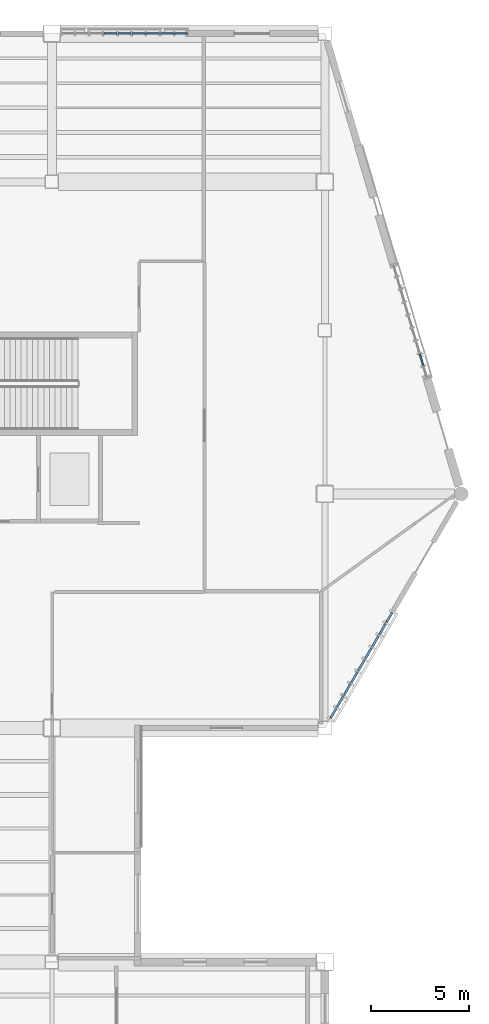
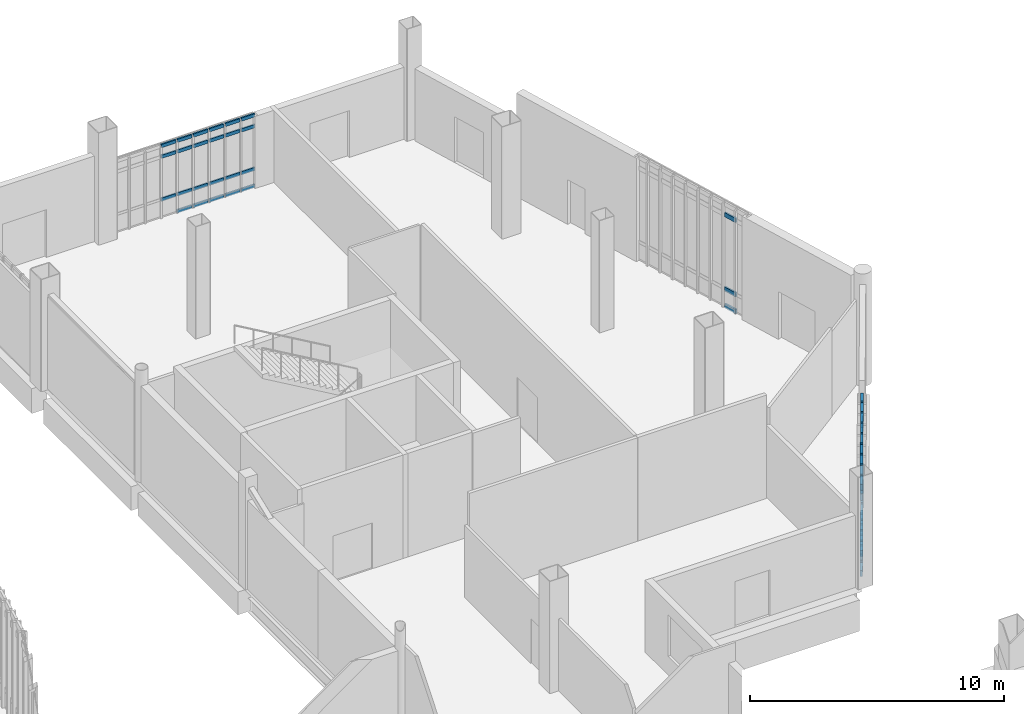
# One storey, part 49 of 111: 62 members, 3 elements without a shape of their own.
"""IFC4 building model written with IfcOpenShell, lengths in metres."""

from ifc_helpers import new_model, si_unit, direction, frame, origin, origin_2d, place, context, subcontext, project, spatial, rectangle, extrude, material, material_profile, profile_set, type_object, element, aggregate, save


model = new_model("IFC4")

# Units and contexts
model_context = context("Model", 3, precision=1e-05, world=origin(), true_north=direction((0.0, 1.0)))
body_context = subcontext(model_context, "Body", "Model", "MODEL_VIEW")
ifc_project = project(units=[si_unit("LENGTHUNIT", "METRE"), si_unit("AREAUNIT", "SQUARE_METRE"), si_unit("VOLUMEUNIT", "CUBIC_METRE"), si_unit("PLANEANGLEUNIT", "RADIAN"), si_unit("MASSUNIT", "GRAM", prefix="KILO")], contexts=[model_context])

# Site, building, storey
site_placement = place(None, origin())
site = spatial("IfcSite", under=ifc_project, at=site_placement, CompositionType="ELEMENT")
building_placement = place(site_placement, origin())
building = spatial("IfcBuilding", under=site, at=building_placement, Name="Larkvane Passage Sports Hall", CompositionType="ELEMENT")
storey_placement = place(building_placement, origin())
storey = spatial("IfcBuildingStorey", under=building, at=storey_placement, Name="L00", CompositionType="ELEMENT", Elevation=0.0)

# Curtain wall, members
ifc_material_1 = material(Name="Thermally broken aluminium and low-E glazing", Category="aluminium")
curtain_wall_type_1 = type_object("IfcCurtainWallType", Name="CW-CLINIC", PredefinedType="USERDEFINED", material=ifc_material_1)
curtain_wall_1_placement = place(storey_placement, origin())
curtain_wall_1 = element("IfcCurtainWall", 1, at=curtain_wall_1_placement, inside=storey, type_object=curtain_wall_type_1, Name="Curtain wall CW5-L00-023", ObjectType="UNITISED CURTAIN WALL", PredefinedType="USERDEFINED")
ifc_material_2 = material(Name="Anodised aluminium 6063-T6", Category="aluminium")
ifc_material_profile_1 = material_profile(ifc_material_2, rectangle(XDim=0.110107421875, YDim=0.2900390625, at=origin_2d()), Name="ALU-TRN-110x290")
ifc_profile_set_1 = profile_set([ifc_material_profile_1], Name="Anodised aluminium 6063-T6")
member_type_1 = type_object("IfcMemberType", Name="CW-TRN-110x290", PredefinedType="USERDEFINED", material=ifc_profile_set_1)
member_1_placement = place(storey_placement, frame((149.044677734375, 69.5048828125, 0.054931640625), z_axis=(-0.504090186891, -0.863651019498, 0.0), x_axis=(0.863651019498, -0.504090186891, 0.0)))
member_1 = element("IfcMember", 2, at=member_1_placement, type_object=member_type_1, Name="CW-05 transom 1.1", ObjectType="TRANSOM", PredefinedType="USERDEFINED", context=body_context, shape_type="SweptSolid", body=[
    extrude(rectangle(XDim=0.110107421875, YDim=0.2900390625, at=origin_2d()), origin(), (0.0, 0.0, 1.0), 0.553955078125),
])
member_2_placement = place(storey_placement, frame((149.044677734375, 69.5048828125, 0.85009765625), z_axis=(-0.504090186891, -0.863651019498, 0.0), x_axis=(0.863651019498, -0.504090186891, 0.0)))
member_2 = element("IfcMember", 3, at=member_2_placement, type_object=member_type_1, Name="CW-05 transom 1.2", ObjectType="TRANSOM", PredefinedType="USERDEFINED", context=body_context, shape_type="SweptSolid", body=[
    extrude(rectangle(XDim=0.110107421875, YDim=0.2900390625, at=origin_2d()), origin(), (0.0, 0.0, 1.0), 0.553955078125),
])
member_3_placement = place(storey_placement, frame((149.044677734375, 69.5048828125, 3.72607421875), z_axis=(-0.504090186891, -0.863651019498, 0.0), x_axis=(0.863651019498, -0.504090186891, 0.0)))
member_3 = element("IfcMember", 4, at=member_3_placement, type_object=member_type_1, Name="CW-05 transom 1.3", ObjectType="TRANSOM", PredefinedType="USERDEFINED", context=body_context, shape_type="SweptSolid", body=[
    extrude(rectangle(XDim=0.110107421875, YDim=0.2900390625, at=origin_2d()), origin(), (0.0, 0.0, 1.0), 0.553955078125),
])
member_4_placement = place(storey_placement, frame((149.044677734375, 69.5048828125, 4.220947265625), z_axis=(-0.504090186891, -0.863651019498, 0.0), x_axis=(0.863651019498, -0.504090186891, 0.0)))
member_4 = element("IfcMember", 5, at=member_4_placement, type_object=member_type_1, Name="CW-05 transom 1.4", ObjectType="TRANSOM", PredefinedType="USERDEFINED", context=body_context, shape_type="SweptSolid", body=[
    extrude(rectangle(XDim=0.110107421875, YDim=0.2900390625, at=origin_2d()), origin(), (0.0, 0.0, 1.0), 0.553955078125),
])
member_5_placement = place(storey_placement, frame((148.7099609375, 68.931396484375, 0.054931640625), z_axis=(-0.503846103104, -0.863793438495, 0.0), x_axis=(0.863793438495, -0.503846103104, 0.0)))
member_5 = element("IfcMember", 6, at=member_5_placement, type_object=member_type_1, Name="CW-05 transom 2.1", ObjectType="TRANSOM", PredefinedType="USERDEFINED", context=body_context, shape_type="SweptSolid", body=[
    extrude(rectangle(XDim=0.110107421875, YDim=0.2900390625, at=origin_2d()), origin(), (0.0, 0.0, 1.0), 0.609130859375),
])
member_6_placement = place(storey_placement, frame((148.7099609375, 68.931396484375, 0.85009765625), z_axis=(-0.503846103104, -0.863793438495, 0.0), x_axis=(0.863793438495, -0.503846103104, 0.0)))
member_6 = element("IfcMember", 7, at=member_6_placement, type_object=member_type_1, Name="CW-05 transom 2.2", ObjectType="TRANSOM", PredefinedType="USERDEFINED", context=body_context, shape_type="SweptSolid", body=[
    extrude(rectangle(XDim=0.110107421875, YDim=0.2900390625, at=origin_2d()), origin(), (0.0, 0.0, 1.0), 0.609130859375),
])
member_7_placement = place(storey_placement, frame((148.7099609375, 68.931396484375, 3.72607421875), z_axis=(-0.503846103104, -0.863793438495, 0.0), x_axis=(0.863793438495, -0.503846103104, 0.0)))
member_7 = element("IfcMember", 8, at=member_7_placement, type_object=member_type_1, Name="CW-05 transom 2.3", ObjectType="TRANSOM", PredefinedType="USERDEFINED", context=body_context, shape_type="SweptSolid", body=[
    extrude(rectangle(XDim=0.110107421875, YDim=0.2900390625, at=origin_2d()), origin(), (0.0, 0.0, 1.0), 0.609130859375),
])
member_8_placement = place(storey_placement, frame((148.7099609375, 68.931396484375, 4.220947265625), z_axis=(-0.503846103104, -0.863793438495, 0.0), x_axis=(0.863793438495, -0.503846103104, 0.0)))
member_8 = element("IfcMember", 9, at=member_8_placement, type_object=member_type_1, Name="CW-05 transom 2.4", ObjectType="TRANSOM", PredefinedType="USERDEFINED", context=body_context, shape_type="SweptSolid", body=[
    extrude(rectangle(XDim=0.110107421875, YDim=0.2900390625, at=origin_2d()), origin(), (0.0, 0.0, 1.0), 0.609130859375),
])
member_9_placement = place(storey_placement, frame((148.34765625, 68.310302734375, 0.054931640625), z_axis=(-0.503846103104, -0.863793438495, 0.0), x_axis=(0.863793438495, -0.503846103104, 0.0)))
member_9 = element("IfcMember", 10, at=member_9_placement, type_object=member_type_1, Name="CW-05 transom 3.1", ObjectType="TRANSOM", PredefinedType="USERDEFINED", context=body_context, shape_type="SweptSolid", body=[
    extrude(rectangle(XDim=0.110107421875, YDim=0.2900390625, at=origin_2d()), origin(), (0.0, 0.0, 1.0), 0.609130859375),
])
member_10_placement = place(storey_placement, frame((148.34765625, 68.310302734375, 0.85009765625), z_axis=(-0.503846103104, -0.863793438495, 0.0), x_axis=(0.863793438495, -0.503846103104, 0.0)))
member_10 = element("IfcMember", 11, at=member_10_placement, type_object=member_type_1, Name="CW-05 transom 3.2", ObjectType="TRANSOM", PredefinedType="USERDEFINED", context=body_context, shape_type="SweptSolid", body=[
    extrude(rectangle(XDim=0.110107421875, YDim=0.2900390625, at=origin_2d()), origin(), (0.0, 0.0, 1.0), 0.609130859375),
])
member_11_placement = place(storey_placement, frame((148.34765625, 68.310302734375, 3.72607421875), z_axis=(-0.503846103104, -0.863793438495, 0.0), x_axis=(0.863793438495, -0.503846103104, 0.0)))
member_11 = element("IfcMember", 12, at=member_11_placement, type_object=member_type_1, Name="CW-05 transom 3.3", ObjectType="TRANSOM", PredefinedType="USERDEFINED", context=body_context, shape_type="SweptSolid", body=[
    extrude(rectangle(XDim=0.110107421875, YDim=0.2900390625, at=origin_2d()), origin(), (0.0, 0.0, 1.0), 0.609130859375),
])
member_12_placement = place(storey_placement, frame((148.34765625, 68.310302734375, 4.220947265625), z_axis=(-0.503846103104, -0.863793438495, 0.0), x_axis=(0.863793438495, -0.503846103104, 0.0)))
member_12 = element("IfcMember", 13, at=member_12_placement, type_object=member_type_1, Name="CW-05 transom 3.4", ObjectType="TRANSOM", PredefinedType="USERDEFINED", context=body_context, shape_type="SweptSolid", body=[
    extrude(rectangle(XDim=0.110107421875, YDim=0.2900390625, at=origin_2d()), origin(), (0.0, 0.0, 1.0), 0.609130859375),
])
member_13_placement = place(storey_placement, frame((147.9853515625, 67.689208984375, 0.054931640625), z_axis=(-0.503846103104, -0.863793438495, 0.0), x_axis=(0.863793438495, -0.503846103104, 0.0)))
member_13 = element("IfcMember", 14, at=member_13_placement, type_object=member_type_1, Name="CW-05 transom 4.1", ObjectType="TRANSOM", PredefinedType="USERDEFINED", context=body_context, shape_type="SweptSolid", body=[
    extrude(rectangle(XDim=0.110107421875, YDim=0.2900390625, at=origin_2d()), origin(), (0.0, 0.0, 1.0), 0.609130859375),
])
member_14_placement = place(storey_placement, frame((147.9853515625, 67.689208984375, 0.85009765625), z_axis=(-0.503846103104, -0.863793438495, 0.0), x_axis=(0.863793438495, -0.503846103104, 0.0)))
member_14 = element("IfcMember", 15, at=member_14_placement, type_object=member_type_1, Name="CW-05 transom 4.2", ObjectType="TRANSOM", PredefinedType="USERDEFINED", context=body_context, shape_type="SweptSolid", body=[
    extrude(rectangle(XDim=0.110107421875, YDim=0.2900390625, at=origin_2d()), origin(), (0.0, 0.0, 1.0), 0.609130859375),
])
member_15_placement = place(storey_placement, frame((147.9853515625, 67.689208984375, 3.72607421875), z_axis=(-0.503846103104, -0.863793438495, 0.0), x_axis=(0.863793438495, -0.503846103104, 0.0)))
member_15 = element("IfcMember", 16, at=member_15_placement, type_object=member_type_1, Name="CW-05 transom 4.3", ObjectType="TRANSOM", PredefinedType="USERDEFINED", context=body_context, shape_type="SweptSolid", body=[
    extrude(rectangle(XDim=0.110107421875, YDim=0.2900390625, at=origin_2d()), origin(), (0.0, 0.0, 1.0), 0.609130859375),
])
member_16_placement = place(storey_placement, frame((147.9853515625, 67.689208984375, 4.220947265625), z_axis=(-0.503846103104, -0.863793438495, 0.0), x_axis=(0.863793438495, -0.503846103104, 0.0)))
member_16 = element("IfcMember", 17, at=member_16_placement, type_object=member_type_1, Name="CW-05 transom 4.4", ObjectType="TRANSOM", PredefinedType="USERDEFINED", context=body_context, shape_type="SweptSolid", body=[
    extrude(rectangle(XDim=0.110107421875, YDim=0.2900390625, at=origin_2d()), origin(), (0.0, 0.0, 1.0), 0.609130859375),
])
member_17_placement = place(storey_placement, frame((147.623046875, 67.068115234375, 0.054931640625), z_axis=(-0.503846103104, -0.863793438495, 0.0), x_axis=(0.863793438495, -0.503846103104, 0.0)))
member_17 = element("IfcMember", 18, at=member_17_placement, type_object=member_type_1, Name="CW-05 transom 5.1", ObjectType="TRANSOM", PredefinedType="USERDEFINED", context=body_context, shape_type="SweptSolid", body=[
    extrude(rectangle(XDim=0.110107421875, YDim=0.2900390625, at=origin_2d()), origin(), (0.0, 0.0, 1.0), 0.609130859375),
])
member_18_placement = place(storey_placement, frame((147.623046875, 67.068115234375, 0.85009765625), z_axis=(-0.503846103104, -0.863793438495, 0.0), x_axis=(0.863793438495, -0.503846103104, 0.0)))
member_18 = element("IfcMember", 19, at=member_18_placement, type_object=member_type_1, Name="CW-05 transom 5.2", ObjectType="TRANSOM", PredefinedType="USERDEFINED", context=body_context, shape_type="SweptSolid", body=[
    extrude(rectangle(XDim=0.110107421875, YDim=0.2900390625, at=origin_2d()), origin(), (0.0, 0.0, 1.0), 0.609130859375),
])
member_19_placement = place(storey_placement, frame((147.623046875, 67.068115234375, 3.72607421875), z_axis=(-0.503846103104, -0.863793438495, 0.0), x_axis=(0.863793438495, -0.503846103104, 0.0)))
member_19 = element("IfcMember", 20, at=member_19_placement, type_object=member_type_1, Name="CW-05 transom 5.3", ObjectType="TRANSOM", PredefinedType="USERDEFINED", context=body_context, shape_type="SweptSolid", body=[
    extrude(rectangle(XDim=0.110107421875, YDim=0.2900390625, at=origin_2d()), origin(), (0.0, 0.0, 1.0), 0.609130859375),
])
member_20_placement = place(storey_placement, frame((147.623046875, 67.068115234375, 4.220947265625), z_axis=(-0.503846103104, -0.863793438495, 0.0), x_axis=(0.863793438495, -0.503846103104, 0.0)))
member_20 = element("IfcMember", 21, at=member_20_placement, type_object=member_type_1, Name="CW-05 transom 5.4", ObjectType="TRANSOM", PredefinedType="USERDEFINED", context=body_context, shape_type="SweptSolid", body=[
    extrude(rectangle(XDim=0.110107421875, YDim=0.2900390625, at=origin_2d()), origin(), (0.0, 0.0, 1.0), 0.609130859375),
])
member_21_placement = place(storey_placement, frame((147.2607421875, 66.447021484375, 0.054931640625), z_axis=(-0.503846103104, -0.863793438495, 0.0), x_axis=(0.863793438495, -0.503846103104, 0.0)))
member_21 = element("IfcMember", 22, at=member_21_placement, type_object=member_type_1, Name="CW-05 transom 6.1", ObjectType="TRANSOM", PredefinedType="USERDEFINED", context=body_context, shape_type="SweptSolid", body=[
    extrude(rectangle(XDim=0.110107421875, YDim=0.2900390625, at=origin_2d()), origin(), (0.0, 0.0, 1.0), 0.609130859375),
])
member_22_placement = place(storey_placement, frame((147.2607421875, 66.447021484375, 0.85009765625), z_axis=(-0.503846103104, -0.863793438495, 0.0), x_axis=(0.863793438495, -0.503846103104, 0.0)))
member_22 = element("IfcMember", 23, at=member_22_placement, type_object=member_type_1, Name="CW-05 transom 6.2", ObjectType="TRANSOM", PredefinedType="USERDEFINED", context=body_context, shape_type="SweptSolid", body=[
    extrude(rectangle(XDim=0.110107421875, YDim=0.2900390625, at=origin_2d()), origin(), (0.0, 0.0, 1.0), 0.609130859375),
])
member_23_placement = place(storey_placement, frame((147.2607421875, 66.447021484375, 3.72607421875), z_axis=(-0.503846103104, -0.863793438495, 0.0), x_axis=(0.863793438495, -0.503846103104, 0.0)))
member_23 = element("IfcMember", 24, at=member_23_placement, type_object=member_type_1, Name="CW-05 transom 6.3", ObjectType="TRANSOM", PredefinedType="USERDEFINED", context=body_context, shape_type="SweptSolid", body=[
    extrude(rectangle(XDim=0.110107421875, YDim=0.2900390625, at=origin_2d()), origin(), (0.0, 0.0, 1.0), 0.609130859375),
])
member_24_placement = place(storey_placement, frame((147.2607421875, 66.447021484375, 4.220947265625), z_axis=(-0.503846103104, -0.863793438495, 0.0), x_axis=(0.863793438495, -0.503846103104, 0.0)))
member_24 = element("IfcMember", 25, at=member_24_placement, type_object=member_type_1, Name="CW-05 transom 6.4", ObjectType="TRANSOM", PredefinedType="USERDEFINED", context=body_context, shape_type="SweptSolid", body=[
    extrude(rectangle(XDim=0.110107421875, YDim=0.2900390625, at=origin_2d()), origin(), (0.0, 0.0, 1.0), 0.609130859375),
])
member_25_placement = place(storey_placement, frame((146.8984375, 65.825927734375, 0.054931640625), z_axis=(-0.503846103104, -0.863793438495, 0.0), x_axis=(0.863793438495, -0.503846103104, 0.0)))
member_25 = element("IfcMember", 26, at=member_25_placement, type_object=member_type_1, Name="CW-05 transom 7.1", ObjectType="TRANSOM", PredefinedType="USERDEFINED", context=body_context, shape_type="SweptSolid", body=[
    extrude(rectangle(XDim=0.110107421875, YDim=0.2900390625, at=origin_2d()), origin(), (0.0, 0.0, 1.0), 0.609130859375),
])
member_26_placement = place(storey_placement, frame((146.8984375, 65.825927734375, 0.85009765625), z_axis=(-0.503846103104, -0.863793438495, 0.0), x_axis=(0.863793438495, -0.503846103104, 0.0)))
member_26 = element("IfcMember", 27, at=member_26_placement, type_object=member_type_1, Name="CW-05 transom 7.2", ObjectType="TRANSOM", PredefinedType="USERDEFINED", context=body_context, shape_type="SweptSolid", body=[
    extrude(rectangle(XDim=0.110107421875, YDim=0.2900390625, at=origin_2d()), origin(), (0.0, 0.0, 1.0), 0.609130859375),
])
member_27_placement = place(storey_placement, frame((146.8984375, 65.825927734375, 3.72607421875), z_axis=(-0.503846103104, -0.863793438495, 0.0), x_axis=(0.863793438495, -0.503846103104, 0.0)))
member_27 = element("IfcMember", 28, at=member_27_placement, type_object=member_type_1, Name="CW-05 transom 7.3", ObjectType="TRANSOM", PredefinedType="USERDEFINED", context=body_context, shape_type="SweptSolid", body=[
    extrude(rectangle(XDim=0.110107421875, YDim=0.2900390625, at=origin_2d()), origin(), (0.0, 0.0, 1.0), 0.609130859375),
])
member_28_placement = place(storey_placement, frame((146.8984375, 65.825927734375, 4.220947265625), z_axis=(-0.503846103104, -0.863793438495, 0.0), x_axis=(0.863793438495, -0.503846103104, 0.0)))
member_28 = element("IfcMember", 29, at=member_28_placement, type_object=member_type_1, Name="CW-05 transom 7.4", ObjectType="TRANSOM", PredefinedType="USERDEFINED", context=body_context, shape_type="SweptSolid", body=[
    extrude(rectangle(XDim=0.110107421875, YDim=0.2900390625, at=origin_2d()), origin(), (0.0, 0.0, 1.0), 0.609130859375),
])
member_29_placement = place(storey_placement, frame((146.5361328125, 65.204833984375, 0.054931640625), z_axis=(-0.503846103104, -0.863793438495, 0.0), x_axis=(0.863793438495, -0.503846103104, 0.0)))
member_29 = element("IfcMember", 30, at=member_29_placement, type_object=member_type_1, Name="CW-05 transom 8.1", ObjectType="TRANSOM", PredefinedType="USERDEFINED", context=body_context, shape_type="SweptSolid", body=[
    extrude(rectangle(XDim=0.110107421875, YDim=0.2900390625, at=origin_2d()), origin(), (0.0, 0.0, 1.0), 0.609130859375),
])
member_30_placement = place(storey_placement, frame((146.5361328125, 65.204833984375, 0.85009765625), z_axis=(-0.503846103104, -0.863793438495, 0.0), x_axis=(0.863793438495, -0.503846103104, 0.0)))
member_30 = element("IfcMember", 31, at=member_30_placement, type_object=member_type_1, Name="CW-05 transom 8.2", ObjectType="TRANSOM", PredefinedType="USERDEFINED", context=body_context, shape_type="SweptSolid", body=[
    extrude(rectangle(XDim=0.110107421875, YDim=0.2900390625, at=origin_2d()), origin(), (0.0, 0.0, 1.0), 0.609130859375),
])
member_31_placement = place(storey_placement, frame((146.5361328125, 65.204833984375, 3.72607421875), z_axis=(-0.503846103104, -0.863793438495, 0.0), x_axis=(0.863793438495, -0.503846103104, 0.0)))
member_31 = element("IfcMember", 32, at=member_31_placement, type_object=member_type_1, Name="CW-05 transom 8.3", ObjectType="TRANSOM", PredefinedType="USERDEFINED", context=body_context, shape_type="SweptSolid", body=[
    extrude(rectangle(XDim=0.110107421875, YDim=0.2900390625, at=origin_2d()), origin(), (0.0, 0.0, 1.0), 0.609130859375),
])
member_32_placement = place(storey_placement, frame((146.5361328125, 65.204833984375, 4.220947265625), z_axis=(-0.503846103104, -0.863793438495, 0.0), x_axis=(0.863793438495, -0.503846103104, 0.0)))
member_32 = element("IfcMember", 33, at=member_32_placement, type_object=member_type_1, Name="CW-05 transom 8.4", ObjectType="TRANSOM", PredefinedType="USERDEFINED", context=body_context, shape_type="SweptSolid", body=[
    extrude(rectangle(XDim=0.110107421875, YDim=0.2900390625, at=origin_2d()), origin(), (0.0, 0.0, 1.0), 0.609130859375),
])
member_33_placement = place(storey_placement, frame((146.173828125, 64.58349609375, 0.054931640625), z_axis=(-0.504090186891, -0.863651019498, 0.0), x_axis=(0.863651019498, -0.504090186891, 0.0)))
member_33 = element("IfcMember", 34, at=member_33_placement, type_object=member_type_1, Name="CW-05 transom 9.1", ObjectType="TRANSOM", PredefinedType="USERDEFINED", context=body_context, shape_type="SweptSolid", body=[
    extrude(rectangle(XDim=0.110107421875, YDim=0.2900390625, at=origin_2d()), origin(), (0.0, 0.0, 1.0), 0.553955078125),
])
member_34_placement = place(storey_placement, frame((146.173828125, 64.58349609375, 0.85009765625), z_axis=(-0.504090186891, -0.863651019498, 0.0), x_axis=(0.863651019498, -0.504090186891, 0.0)))
member_34 = element("IfcMember", 35, at=member_34_placement, type_object=member_type_1, Name="CW-05 transom 9.2", ObjectType="TRANSOM", PredefinedType="USERDEFINED", context=body_context, shape_type="SweptSolid", body=[
    extrude(rectangle(XDim=0.110107421875, YDim=0.2900390625, at=origin_2d()), origin(), (0.0, 0.0, 1.0), 0.553955078125),
])
member_35_placement = place(storey_placement, frame((146.173828125, 64.58349609375, 3.72607421875), z_axis=(-0.504090186891, -0.863651019498, 0.0), x_axis=(0.863651019498, -0.504090186891, 0.0)))
member_35 = element("IfcMember", 36, at=member_35_placement, type_object=member_type_1, Name="CW-05 transom 9.3", ObjectType="TRANSOM", PredefinedType="USERDEFINED", context=body_context, shape_type="SweptSolid", body=[
    extrude(rectangle(XDim=0.110107421875, YDim=0.2900390625, at=origin_2d()), origin(), (0.0, 0.0, 1.0), 0.553955078125),
])
member_36_placement = place(storey_placement, frame((146.173828125, 64.58349609375, 4.220947265625), z_axis=(-0.504090186891, -0.863651019498, 0.0), x_axis=(0.863651019498, -0.504090186891, 0.0)))
member_36 = element("IfcMember", 37, at=member_36_placement, type_object=member_type_1, Name="CW-05 transom 9.4", ObjectType="TRANSOM", PredefinedType="USERDEFINED", context=body_context, shape_type="SweptSolid", body=[
    extrude(rectangle(XDim=0.110107421875, YDim=0.2900390625, at=origin_2d()), origin(), (0.0, 0.0, 1.0), 0.553955078125),
])
aggregate(curtain_wall_1, [member_1, member_2, member_3, member_4, member_5, member_6, member_7, member_8, member_9, member_10, member_11, member_12, member_13, member_14, member_15, member_16, member_17, member_18, member_19, member_20, member_21, member_22, member_23, member_24, member_25, member_26, member_27, member_28, member_29, member_30, member_31, member_32, member_33, member_34, member_35, member_36])

curtain_wall_type_2 = type_object("IfcCurtainWallType", Name="CW-UNIT-VEIL", PredefinedType="USERDEFINED", material=ifc_material_1)
curtain_wall_2_placement = place(storey_placement, origin())
curtain_wall_2 = element("IfcCurtainWall", 38, at=curtain_wall_2_placement, inside=storey, type_object=curtain_wall_type_2, Name="Curtain wall CW5-L00-021", ObjectType="UNITISED CURTAIN WALL", PredefinedType="USERDEFINED")
ifc_material_profile_2 = material_profile(ifc_material_2, rectangle(XDim=0.070068359375, YDim=0.159912109375, at=origin_2d()), Name="ALU-TRN-70x160")
ifc_profile_set_2 = profile_set([ifc_material_profile_2], Name="Anodised aluminium 6063-T6")
member_type_2 = type_object("IfcMemberType", Name="CW-TRN-70x160", PredefinedType="USERDEFINED", material=ifc_profile_set_2)
member_37_placement = place(storey_placement, frame((134.265625, 99.199951171875, 0.85009765625), z_axis=(1.0, 0.0, 0.0), x_axis=(0.0, 1.0, 0.0)))
member_37 = element("IfcMember", 39, at=member_37_placement, type_object=member_type_2, Name="CW-02 transom 4.2", ObjectType="TRANSOM", PredefinedType="USERDEFINED", context=body_context, shape_type="SweptSolid", body=[
    extrude(rectangle(XDim=0.070068359375, YDim=0.159912109375, at=origin_2d()), origin(), (0.0, 0.0, 1.0), 0.658203125),
])
member_38_placement = place(storey_placement, frame((134.265625, 99.199951171875, 2.91796875), z_axis=(1.0, 0.0, 0.0), x_axis=(0.0, 1.0, 0.0)))
member_38 = element("IfcMember", 40, at=member_38_placement, type_object=member_type_2, Name="CW-02 transom 4.3", ObjectType="TRANSOM", PredefinedType="USERDEFINED", context=body_context, shape_type="SweptSolid", body=[
    extrude(rectangle(XDim=0.070068359375, YDim=0.159912109375, at=origin_2d()), origin(), (0.0, 0.0, 1.0), 0.658203125),
])
member_39_placement = place(storey_placement, frame((134.265625, 99.199951171875, 3.43310546875), z_axis=(1.0, 0.0, 0.0), x_axis=(0.0, 1.0, 0.0)))
member_39 = element("IfcMember", 41, at=member_39_placement, type_object=member_type_2, Name="CW-02 transom 4.4", ObjectType="TRANSOM", PredefinedType="USERDEFINED", context=body_context, shape_type="SweptSolid", body=[
    extrude(rectangle(XDim=0.070068359375, YDim=0.159912109375, at=origin_2d()), origin(), (0.0, 0.0, 1.0), 0.658203125),
])
member_40_placement = place(storey_placement, frame((134.993896484375, 99.199951171875, 0.034912109375), z_axis=(1.0, 0.0, 0.0), x_axis=(0.0, 1.0, 0.0)))
member_40 = element("IfcMember", 42, at=member_40_placement, type_object=member_type_2, Name="CW-02 transom 5.1", ObjectType="TRANSOM", PredefinedType="USERDEFINED", context=body_context, shape_type="SweptSolid", body=[
    extrude(rectangle(XDim=0.070068359375, YDim=0.159912109375, at=origin_2d()), origin(), (0.0, 0.0, 1.0), 0.658203125),
])
member_41_placement = place(storey_placement, frame((134.993896484375, 99.199951171875, 0.85009765625), z_axis=(1.0, 0.0, 0.0), x_axis=(0.0, 1.0, 0.0)))
member_41 = element("IfcMember", 43, at=member_41_placement, type_object=member_type_2, Name="CW-02 transom 5.2", ObjectType="TRANSOM", PredefinedType="USERDEFINED", context=body_context, shape_type="SweptSolid", body=[
    extrude(rectangle(XDim=0.070068359375, YDim=0.159912109375, at=origin_2d()), origin(), (0.0, 0.0, 1.0), 0.658203125),
])
member_42_placement = place(storey_placement, frame((134.993896484375, 99.199951171875, 2.91796875), z_axis=(1.0, 0.0, 0.0), x_axis=(0.0, 1.0, 0.0)))
member_42 = element("IfcMember", 44, at=member_42_placement, type_object=member_type_2, Name="CW-02 transom 5.3", ObjectType="TRANSOM", PredefinedType="USERDEFINED", context=body_context, shape_type="SweptSolid", body=[
    extrude(rectangle(XDim=0.070068359375, YDim=0.159912109375, at=origin_2d()), origin(), (0.0, 0.0, 1.0), 0.658203125),
])
member_43_placement = place(storey_placement, frame((134.993896484375, 99.199951171875, 3.43310546875), z_axis=(1.0, 0.0, 0.0), x_axis=(0.0, 1.0, 0.0)))
member_43 = element("IfcMember", 45, at=member_43_placement, type_object=member_type_2, Name="CW-02 transom 5.4", ObjectType="TRANSOM", PredefinedType="USERDEFINED", context=body_context, shape_type="SweptSolid", body=[
    extrude(rectangle(XDim=0.070068359375, YDim=0.159912109375, at=origin_2d()), origin(), (0.0, 0.0, 1.0), 0.658203125),
])
member_44_placement = place(storey_placement, frame((135.72216796875, 99.199951171875, 0.034912109375), z_axis=(1.0, 0.0, 0.0), x_axis=(0.0, 1.0, 0.0)))
member_44 = element("IfcMember", 46, at=member_44_placement, type_object=member_type_2, Name="CW-02 transom 6.1", ObjectType="TRANSOM", PredefinedType="USERDEFINED", context=body_context, shape_type="SweptSolid", body=[
    extrude(rectangle(XDim=0.070068359375, YDim=0.159912109375, at=origin_2d()), origin(), (0.0, 0.0, 1.0), 0.658203125),
])
member_45_placement = place(storey_placement, frame((135.72216796875, 99.199951171875, 0.85009765625), z_axis=(1.0, 0.0, 0.0), x_axis=(0.0, 1.0, 0.0)))
member_45 = element("IfcMember", 47, at=member_45_placement, type_object=member_type_2, Name="CW-02 transom 6.2", ObjectType="TRANSOM", PredefinedType="USERDEFINED", context=body_context, shape_type="SweptSolid", body=[
    extrude(rectangle(XDim=0.070068359375, YDim=0.159912109375, at=origin_2d()), origin(), (0.0, 0.0, 1.0), 0.658203125),
])
member_46_placement = place(storey_placement, frame((135.72216796875, 99.199951171875, 2.91796875), z_axis=(1.0, 0.0, 0.0), x_axis=(0.0, 1.0, 0.0)))
member_46 = element("IfcMember", 48, at=member_46_placement, type_object=member_type_2, Name="CW-02 transom 6.3", ObjectType="TRANSOM", PredefinedType="USERDEFINED", context=body_context, shape_type="SweptSolid", body=[
    extrude(rectangle(XDim=0.070068359375, YDim=0.159912109375, at=origin_2d()), origin(), (0.0, 0.0, 1.0), 0.658203125),
])
member_47_placement = place(storey_placement, frame((135.72216796875, 99.199951171875, 3.43310546875), z_axis=(1.0, 0.0, 0.0), x_axis=(0.0, 1.0, 0.0)))
member_47 = element("IfcMember", 49, at=member_47_placement, type_object=member_type_2, Name="CW-02 transom 6.4", ObjectType="TRANSOM", PredefinedType="USERDEFINED", context=body_context, shape_type="SweptSolid", body=[
    extrude(rectangle(XDim=0.070068359375, YDim=0.159912109375, at=origin_2d()), origin(), (0.0, 0.0, 1.0), 0.658203125),
])
member_48_placement = place(storey_placement, frame((136.450439453125, 99.199951171875, 0.034912109375), z_axis=(1.0, 0.0, 0.0), x_axis=(0.0, 1.0, 0.0)))
member_48 = element("IfcMember", 50, at=member_48_placement, type_object=member_type_2, Name="CW-02 transom 7.1", ObjectType="TRANSOM", PredefinedType="USERDEFINED", context=body_context, shape_type="SweptSolid", body=[
    extrude(rectangle(XDim=0.070068359375, YDim=0.159912109375, at=origin_2d()), origin(), (0.0, 0.0, 1.0), 0.658203125),
])
member_49_placement = place(storey_placement, frame((136.450439453125, 99.199951171875, 0.85009765625), z_axis=(1.0, 0.0, 0.0), x_axis=(0.0, 1.0, 0.0)))
member_49 = element("IfcMember", 51, at=member_49_placement, type_object=member_type_2, Name="CW-02 transom 7.2", ObjectType="TRANSOM", PredefinedType="USERDEFINED", context=body_context, shape_type="SweptSolid", body=[
    extrude(rectangle(XDim=0.070068359375, YDim=0.159912109375, at=origin_2d()), origin(), (0.0, 0.0, 1.0), 0.658203125),
])
member_50_placement = place(storey_placement, frame((136.450439453125, 99.199951171875, 2.91796875), z_axis=(1.0, 0.0, 0.0), x_axis=(0.0, 1.0, 0.0)))
member_50 = element("IfcMember", 52, at=member_50_placement, type_object=member_type_2, Name="CW-02 transom 7.3", ObjectType="TRANSOM", PredefinedType="USERDEFINED", context=body_context, shape_type="SweptSolid", body=[
    extrude(rectangle(XDim=0.070068359375, YDim=0.159912109375, at=origin_2d()), origin(), (0.0, 0.0, 1.0), 0.658203125),
])
member_51_placement = place(storey_placement, frame((136.450439453125, 99.199951171875, 3.43310546875), z_axis=(1.0, 0.0, 0.0), x_axis=(0.0, 1.0, 0.0)))
member_51 = element("IfcMember", 53, at=member_51_placement, type_object=member_type_2, Name="CW-02 transom 7.4", ObjectType="TRANSOM", PredefinedType="USERDEFINED", context=body_context, shape_type="SweptSolid", body=[
    extrude(rectangle(XDim=0.070068359375, YDim=0.159912109375, at=origin_2d()), origin(), (0.0, 0.0, 1.0), 0.658203125),
])
member_52_placement = place(storey_placement, frame((137.178466796875, 99.199951171875, 0.034912109375), z_axis=(1.0, 0.0, 0.0), x_axis=(0.0, 1.0, 0.0)))
member_52 = element("IfcMember", 54, at=member_52_placement, type_object=member_type_2, Name="CW-02 transom 8.1", ObjectType="TRANSOM", PredefinedType="USERDEFINED", context=body_context, shape_type="SweptSolid", body=[
    extrude(rectangle(XDim=0.070068359375, YDim=0.159912109375, at=origin_2d()), origin(), (0.0, 0.0, 1.0), 0.658203125),
])
member_53_placement = place(storey_placement, frame((137.178466796875, 99.199951171875, 0.85009765625), z_axis=(1.0, 0.0, 0.0), x_axis=(0.0, 1.0, 0.0)))
member_53 = element("IfcMember", 55, at=member_53_placement, type_object=member_type_2, Name="CW-02 transom 8.2", ObjectType="TRANSOM", PredefinedType="USERDEFINED", context=body_context, shape_type="SweptSolid", body=[
    extrude(rectangle(XDim=0.070068359375, YDim=0.159912109375, at=origin_2d()), origin(), (0.0, 0.0, 1.0), 0.658203125),
])
member_54_placement = place(storey_placement, frame((137.178466796875, 99.199951171875, 2.91796875), z_axis=(1.0, 0.0, 0.0), x_axis=(0.0, 1.0, 0.0)))
member_54 = element("IfcMember", 56, at=member_54_placement, type_object=member_type_2, Name="CW-02 transom 8.3", ObjectType="TRANSOM", PredefinedType="USERDEFINED", context=body_context, shape_type="SweptSolid", body=[
    extrude(rectangle(XDim=0.070068359375, YDim=0.159912109375, at=origin_2d()), origin(), (0.0, 0.0, 1.0), 0.658203125),
])
member_55_placement = place(storey_placement, frame((137.178466796875, 99.199951171875, 3.43310546875), z_axis=(1.0, 0.0, 0.0), x_axis=(0.0, 1.0, 0.0)))
member_55 = element("IfcMember", 57, at=member_55_placement, type_object=member_type_2, Name="CW-02 transom 8.4", ObjectType="TRANSOM", PredefinedType="USERDEFINED", context=body_context, shape_type="SweptSolid", body=[
    extrude(rectangle(XDim=0.070068359375, YDim=0.159912109375, at=origin_2d()), origin(), (0.0, 0.0, 1.0), 0.658203125),
])
member_56_placement = place(storey_placement, frame((137.90673828125, 99.199951171875, 0.034912109375), z_axis=(1.0, 0.0, 0.0), x_axis=(0.0, 1.0, 0.0)))
member_56 = element("IfcMember", 58, at=member_56_placement, type_object=member_type_2, Name="CW-02 transom 9.1", ObjectType="TRANSOM", PredefinedType="USERDEFINED", context=body_context, shape_type="SweptSolid", body=[
    extrude(rectangle(XDim=0.070068359375, YDim=0.159912109375, at=origin_2d()), origin(), (0.0, 0.0, 1.0), 0.623291015625),
])
member_57_placement = place(storey_placement, frame((137.90673828125, 99.199951171875, 0.85009765625), z_axis=(1.0, 0.0, 0.0), x_axis=(0.0, 1.0, 0.0)))
member_57 = element("IfcMember", 59, at=member_57_placement, type_object=member_type_2, Name="CW-02 transom 9.2", ObjectType="TRANSOM", PredefinedType="USERDEFINED", context=body_context, shape_type="SweptSolid", body=[
    extrude(rectangle(XDim=0.070068359375, YDim=0.159912109375, at=origin_2d()), origin(), (0.0, 0.0, 1.0), 0.623291015625),
])
member_58_placement = place(storey_placement, frame((137.90673828125, 99.199951171875, 2.91796875), z_axis=(1.0, 0.0, 0.0), x_axis=(0.0, 1.0, 0.0)))
member_58 = element("IfcMember", 60, at=member_58_placement, type_object=member_type_2, Name="CW-02 transom 9.3", ObjectType="TRANSOM", PredefinedType="USERDEFINED", context=body_context, shape_type="SweptSolid", body=[
    extrude(rectangle(XDim=0.070068359375, YDim=0.159912109375, at=origin_2d()), origin(), (0.0, 0.0, 1.0), 0.623291015625),
])
member_59_placement = place(storey_placement, frame((137.90673828125, 99.199951171875, 3.43310546875), z_axis=(1.0, 0.0, 0.0), x_axis=(0.0, 1.0, 0.0)))
member_59 = element("IfcMember", 61, at=member_59_placement, type_object=member_type_2, Name="CW-02 transom 9.4", ObjectType="TRANSOM", PredefinedType="USERDEFINED", context=body_context, shape_type="SweptSolid", body=[
    extrude(rectangle(XDim=0.070068359375, YDim=0.159912109375, at=origin_2d()), origin(), (0.0, 0.0, 1.0), 0.623291015625),
])
aggregate(curtain_wall_2, [member_37, member_38, member_39, member_40, member_41, member_42, member_43, member_44, member_45, member_46, member_47, member_48, member_49, member_50, member_51, member_52, member_53, member_54, member_55, member_56, member_57, member_58, member_59])

curtain_wall_type_3 = type_object("IfcCurtainWallType", Name="CW-STICK-FOYER", PredefinedType="USERDEFINED", material=ifc_material_1)
curtain_wall_3_placement = place(storey_placement, origin())
curtain_wall_3 = element("IfcCurtainWall", 62, at=curtain_wall_3_placement, inside=storey, type_object=curtain_wall_type_3, Name="Curtain wall CW5-L00-022", ObjectType="STICK CURTAIN WALL", PredefinedType="USERDEFINED")
ifc_material_profile_3 = material_profile(ifc_material_2, rectangle(XDim=0.080078125, YDim=0.2099609375, at=origin_2d()), Name="ALU-TRN-80x210")
ifc_profile_set_3 = profile_set([ifc_material_profile_3], Name="Anodised aluminium 6063-T6")
member_type_3 = type_object("IfcMemberType", Name="CW-TRN-80x210", PredefinedType="USERDEFINED", material=ifc_profile_set_3)
member_60_placement = place(storey_placement, frame((150.472412109375, 82.772705078125, 0.0400390625), z_axis=(0.284638928481, -0.958634800324, 0.0), x_axis=(0.958634800324, 0.284638928481, 0.0)))
member_60 = element("IfcMember", 63, at=member_60_placement, type_object=member_type_3, Name="CW-03 transom 8.1", ObjectType="TRANSOM", PredefinedType="USERDEFINED", context=body_context, shape_type="SweptSolid", body=[
    extrude(rectangle(XDim=0.080078125, YDim=0.2099609375, at=origin_2d()), origin(), (0.0, 0.0, 1.0), 0.603759765625),
])
member_61_placement = place(storey_placement, frame((150.472412109375, 82.772705078125, 0.85009765625), z_axis=(0.284638928481, -0.958634800324, 0.0), x_axis=(0.958634800324, 0.284638928481, 0.0)))
member_61 = element("IfcMember", 64, at=member_61_placement, type_object=member_type_3, Name="CW-03 transom 8.2", ObjectType="TRANSOM", PredefinedType="USERDEFINED", context=body_context, shape_type="SweptSolid", body=[
    extrude(rectangle(XDim=0.080078125, YDim=0.2099609375, at=origin_2d()), origin(), (0.0, 0.0, 1.0), 0.603759765625),
])
member_62_placement = place(storey_placement, frame((150.472412109375, 82.772705078125, 4.429931640625), z_axis=(0.284638928481, -0.958634800324, 0.0), x_axis=(0.958634800324, 0.284638928481, 0.0)))
member_62 = element("IfcMember", 65, at=member_62_placement, type_object=member_type_3, Name="CW-03 transom 8.3", ObjectType="TRANSOM", PredefinedType="USERDEFINED", context=body_context, shape_type="SweptSolid", body=[
    extrude(rectangle(XDim=0.080078125, YDim=0.2099609375, at=origin_2d()), origin(), (0.0, 0.0, 1.0), 0.603759765625),
])
aggregate(curtain_wall_3, [member_60, member_61, member_62])

save(model, "model.ifc")
